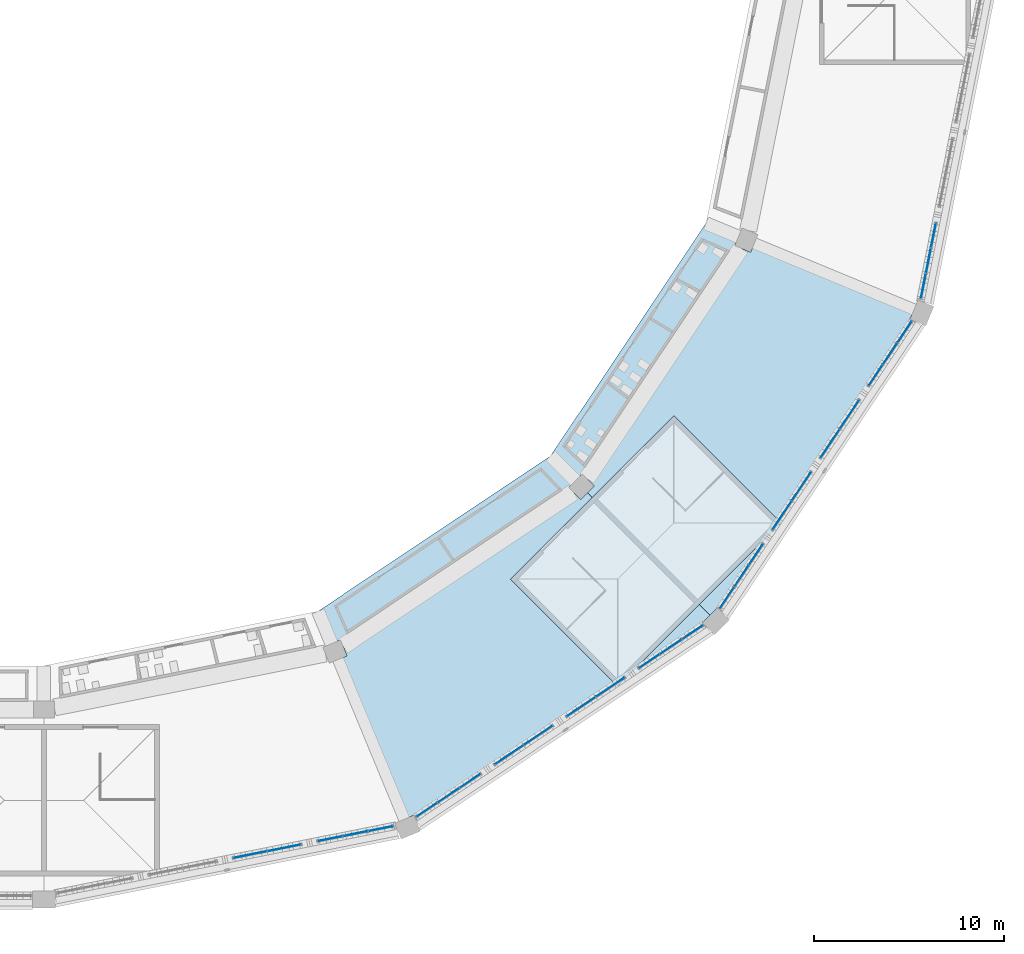
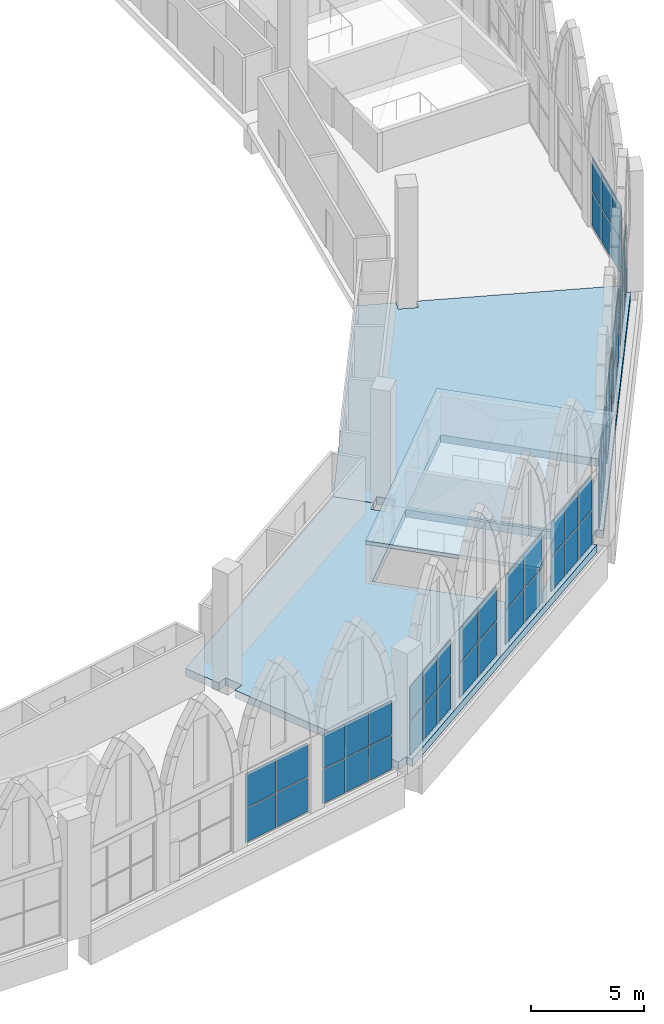
# One storey, part 54 of 130: 56 plates, 3 slabs, 11 elements without a shape of their own.
"""IFC4 building model written with IfcOpenShell, lengths in metres."""

from ifc_helpers import new_model, si_unit, direction, frame, origin, origin_2d, place, context, subcontext, project, spatial, polyline, rectangle, outline, extrude, material, layer, layer_set, type_object, element, aggregate, save


model = new_model("IFC4")

# Units and contexts
model_context = context("Model", 3, precision=1e-05, world=origin(), true_north=direction((0.0, 1.0)))
body_context = subcontext(model_context, "Body", "Model", "MODEL_VIEW")
ifc_project = project(units=[si_unit("LENGTHUNIT", "METRE"), si_unit("AREAUNIT", "SQUARE_METRE"), si_unit("VOLUMEUNIT", "CUBIC_METRE"), si_unit("PLANEANGLEUNIT", "RADIAN"), si_unit("MASSUNIT", "GRAM", prefix="KILO")], contexts=[model_context])

# Site, building, storey
site_placement = place(None, origin())
site = spatial("IfcSite", under=ifc_project, at=site_placement, CompositionType="ELEMENT")
building_placement = place(site_placement, origin())
building = spatial("IfcBuilding", under=site, at=building_placement, Name="Ogive Plaza Stadium", CompositionType="ELEMENT")
storey_placement = place(building_placement, frame((0.0, 0.0, 22.5)))
storey = spatial("IfcBuildingStorey", under=building, at=storey_placement, Name="L05", CompositionType="ELEMENT", Elevation=22.5)

# Slab
ifc_material_1 = material(Name="Concrete C40/50", Category="concrete")
ifc_layer_1 = layer(ifc_material_1, 0.199951171875)
ifc_layer_set_1 = layer_set([ifc_layer_1], Name="Concrete C40/50")
slab_type_1 = type_object("IfcSlabType", Name="Core roof slab", PredefinedType="ROOF", material=ifc_layer_set_1)
slab_1_placement = place(storey_placement, frame((0.0, 0.0, 2.10009765625)))
element("IfcSlab", 1, at=slab_1_placement, inside=storey, type_object=slab_type_1, Name="Stair core R10 roof", PredefinedType="ROOF", context=body_context, shape_type="SweptSolid", body=[
    extrude(outline(polyline([(58.55419921875, -85.645751953125), (64.182861328125, -91.274169921875), (72.774169921875, -82.682861328125), (67.145751953125, -77.05419921875), (58.55419921875, -85.645751953125)])), origin(), (0.0, 0.0, 1.0), 0.199951171875),
])

# Curtain wall, plates
ifc_material_2 = material(Name="Bronze-anodised aluminium with laminated glass", Category="aluminium")
curtain_wall_type = type_object("IfcCurtainWallType", Name="Lancet curtain wall", PredefinedType="NOTDEFINED", material=ifc_material_2)
curtain_wall_1_placement = place(storey_placement, origin())
curtain_wall_1 = element("IfcCurtainWall", 2, at=curtain_wall_1_placement, inside=storey, type_object=curtain_wall_type, Name="CURTAIN WALL B08 L05", PredefinedType="NOTDEFINED")
ifc_material_3 = material(Name="Laminated glass", Category="glass")
ifc_layer_2 = layer(ifc_material_3, 0.028076171875)
ifc_layer_set_2 = layer_set([ifc_layer_2], Name="Laminated glass panel 28")
plate_type = type_object("IfcPlateType", Name="Laminated glass panel 28", PredefinedType="CURTAIN_PANEL", material=ifc_layer_set_2)
plate_1_placement = place(storey_placement, frame((80.802001953125, -67.552490234375, 0.0498046875), z_axis=(0.0, 0.0, 1.0), x_axis=(-0.195090322016, -0.980785280403, 0.0)))
plate_1 = element("IfcPlate", 3, at=plate_1_placement, type_object=plate_type, Name="CW-B08-L05.4 panel 1.1", PredefinedType="CURTAIN_PANEL", context=body_context, shape_type="SweptSolid", body=[
    extrude(rectangle(XDim=1.30224609375, YDim=0.028076171875, at=origin_2d()), origin(), (0.0, 0.0, 1.0), 1.824951171875),
])
plate_2_placement = place(storey_placement, frame((80.802001953125, -67.552490234375, 1.9248046875), z_axis=(0.0, 0.0, 1.0), x_axis=(-0.195090322016, -0.980785280403, 0.0)))
plate_2 = element("IfcPlate", 4, at=plate_2_placement, type_object=plate_type, Name="CW-B08-L05.4 panel 1.2", PredefinedType="CURTAIN_PANEL", context=body_context, shape_type="SweptSolid", body=[
    extrude(rectangle(XDim=1.30224609375, YDim=0.028076171875, at=origin_2d()), origin(), (0.0, 0.0, 1.0), 1.824951171875),
])
plate_3_placement = place(storey_placement, frame((80.53564453125, -68.89111328125, 0.0498046875), z_axis=(0.0, 0.0, 1.0), x_axis=(-0.195090322016, -0.980785280403, 0.0)))
plate_3 = element("IfcPlate", 5, at=plate_3_placement, type_object=plate_type, Name="CW-B08-L05.4 panel 2.1", PredefinedType="CURTAIN_PANEL", context=body_context, shape_type="SweptSolid", body=[
    extrude(rectangle(XDim=1.3271484375, YDim=0.028076171875, at=origin_2d()), origin(), (0.0, 0.0, 1.0), 1.824951171875),
])
plate_4_placement = place(storey_placement, frame((80.53564453125, -68.89111328125, 1.9248046875), z_axis=(0.0, 0.0, 1.0), x_axis=(-0.195090322016, -0.980785280403, 0.0)))
plate_4 = element("IfcPlate", 6, at=plate_4_placement, type_object=plate_type, Name="CW-B08-L05.4 panel 2.2", PredefinedType="CURTAIN_PANEL", context=body_context, shape_type="SweptSolid", body=[
    extrude(rectangle(XDim=1.3271484375, YDim=0.028076171875, at=origin_2d()), origin(), (0.0, 0.0, 1.0), 1.824951171875),
])
plate_5_placement = place(storey_placement, frame((80.26953125, -70.2294921875, 0.0498046875), z_axis=(0.0, 0.0, 1.0), x_axis=(-0.195090322016, -0.980785280403, 0.0)))
plate_5 = element("IfcPlate", 7, at=plate_5_placement, type_object=plate_type, Name="CW-B08-L05.4 panel 3.1", PredefinedType="CURTAIN_PANEL", context=body_context, shape_type="SweptSolid", body=[
    extrude(rectangle(XDim=1.30224609375, YDim=0.028076171875, at=origin_2d()), origin(), (0.0, 0.0, 1.0), 1.824951171875),
])
plate_6_placement = place(storey_placement, frame((80.26953125, -70.2294921875, 1.9248046875), z_axis=(0.0, 0.0, 1.0), x_axis=(-0.195090322016, -0.980785280403, 0.0)))
plate_6 = element("IfcPlate", 8, at=plate_6_placement, type_object=plate_type, Name="CW-B08-L05.4 panel 3.2", PredefinedType="CURTAIN_PANEL", context=body_context, shape_type="SweptSolid", body=[
    extrude(rectangle(XDim=1.30224609375, YDim=0.028076171875, at=origin_2d()), origin(), (0.0, 0.0, 1.0), 1.824951171875),
])
aggregate(curtain_wall_1, [plate_1, plate_2, plate_3, plate_4, plate_5, plate_6])

curtain_wall_2_placement = place(storey_placement, origin())
curtain_wall_2 = element("IfcCurtainWall", 9, at=curtain_wall_2_placement, inside=storey, type_object=curtain_wall_type, Name="CURTAIN WALL B09 L05", PredefinedType="NOTDEFINED")
plate_7_placement = place(storey_placement, frame((79.280029296875, -72.641845703125, 0.0498046875), z_axis=(0.0, 0.0, 1.0), x_axis=(-0.555570232889, -0.83146961239, 0.0)))
plate_7 = element("IfcPlate", 10, at=plate_7_placement, type_object=plate_type, Name="CW-B09-L05.1 panel 1.1", PredefinedType="CURTAIN_PANEL", context=body_context, shape_type="SweptSolid", body=[
    extrude(rectangle(XDim=1.310791015625, YDim=0.028076171875, at=origin_2d()), origin(), (0.0, 0.0, 1.0), 1.824951171875),
])
plate_8_placement = place(storey_placement, frame((79.280029296875, -72.641845703125, 1.9248046875), z_axis=(0.0, 0.0, 1.0), x_axis=(-0.555570232889, -0.83146961239, 0.0)))
plate_8 = element("IfcPlate", 11, at=plate_8_placement, type_object=plate_type, Name="CW-B09-L05.1 panel 1.2", PredefinedType="CURTAIN_PANEL", context=body_context, shape_type="SweptSolid", body=[
    extrude(rectangle(XDim=1.310791015625, YDim=0.028076171875, at=origin_2d()), origin(), (0.0, 0.0, 1.0), 1.824951171875),
])
plate_9_placement = place(storey_placement, frame((78.51708984375, -73.78369140625, 0.0498046875), z_axis=(0.0, 0.0, 1.0), x_axis=(-0.555570232889, -0.83146961239, 0.0)))
plate_9 = element("IfcPlate", 12, at=plate_9_placement, type_object=plate_type, Name="CW-B09-L05.1 panel 2.1", PredefinedType="CURTAIN_PANEL", context=body_context, shape_type="SweptSolid", body=[
    extrude(rectangle(XDim=1.335693359375, YDim=0.028076171875, at=origin_2d()), origin(), (0.0, 0.0, 1.0), 1.824951171875),
])
plate_10_placement = place(storey_placement, frame((78.51708984375, -73.78369140625, 1.9248046875), z_axis=(0.0, 0.0, 1.0), x_axis=(-0.555570232889, -0.83146961239, 0.0)))
plate_10 = element("IfcPlate", 13, at=plate_10_placement, type_object=plate_type, Name="CW-B09-L05.1 panel 2.2", PredefinedType="CURTAIN_PANEL", context=body_context, shape_type="SweptSolid", body=[
    extrude(rectangle(XDim=1.335693359375, YDim=0.028076171875, at=origin_2d()), origin(), (0.0, 0.0, 1.0), 1.824951171875),
])
plate_11_placement = place(storey_placement, frame((77.754150390625, -74.925537109375, 0.0498046875), z_axis=(0.0, 0.0, 1.0), x_axis=(-0.555570232889, -0.83146961239, 0.0)))
plate_11 = element("IfcPlate", 14, at=plate_11_placement, type_object=plate_type, Name="CW-B09-L05.1 panel 3.1", PredefinedType="CURTAIN_PANEL", context=body_context, shape_type="SweptSolid", body=[
    extrude(rectangle(XDim=1.310791015625, YDim=0.028076171875, at=origin_2d()), origin(), (0.0, 0.0, 1.0), 1.824951171875),
])
plate_12_placement = place(storey_placement, frame((77.754150390625, -74.925537109375, 1.9248046875), z_axis=(0.0, 0.0, 1.0), x_axis=(-0.555570232889, -0.83146961239, 0.0)))
plate_12 = element("IfcPlate", 15, at=plate_12_placement, type_object=plate_type, Name="CW-B09-L05.1 panel 3.2", PredefinedType="CURTAIN_PANEL", context=body_context, shape_type="SweptSolid", body=[
    extrude(rectangle(XDim=1.310791015625, YDim=0.028076171875, at=origin_2d()), origin(), (0.0, 0.0, 1.0), 1.824951171875),
])
aggregate(curtain_wall_2, [plate_7, plate_8, plate_9, plate_10, plate_11, plate_12])

curtain_wall_3_placement = place(storey_placement, origin())
curtain_wall_3 = element("IfcCurtainWall", 16, at=curtain_wall_3_placement, inside=storey, type_object=curtain_wall_type, Name="CURTAIN WALL B09 L05", PredefinedType="NOTDEFINED")
plate_13_placement = place(storey_placement, frame((76.38916015625, -76.968505859375, 0.0498046875), z_axis=(0.0, 0.0, 1.0), x_axis=(-0.555570233237, -0.831469612157, 0.0)))
plate_13 = element("IfcPlate", 17, at=plate_13_placement, type_object=plate_type, Name="CW-B09-L05.2 panel 1.1", PredefinedType="CURTAIN_PANEL", context=body_context, shape_type="SweptSolid", body=[
    extrude(rectangle(XDim=1.803466796875, YDim=0.028076171875, at=origin_2d()), origin(), (0.0, 0.0, 1.0), 1.824951171875),
])
plate_14_placement = place(storey_placement, frame((76.38916015625, -76.968505859375, 1.9248046875), z_axis=(0.0, 0.0, 1.0), x_axis=(-0.555570233237, -0.831469612157, 0.0)))
plate_14 = element("IfcPlate", 18, at=plate_14_placement, type_object=plate_type, Name="CW-B09-L05.2 panel 1.2", PredefinedType="CURTAIN_PANEL", context=body_context, shape_type="SweptSolid", body=[
    extrude(rectangle(XDim=1.803466796875, YDim=0.028076171875, at=origin_2d()), origin(), (0.0, 0.0, 1.0), 1.824951171875),
])
plate_15_placement = place(storey_placement, frame((75.359375, -78.509765625, 0.0498046875), z_axis=(0.0, 0.0, 1.0), x_axis=(-0.555570233237, -0.831469612157, 0.0)))
plate_15 = element("IfcPlate", 19, at=plate_15_placement, type_object=plate_type, Name="CW-B09-L05.2 panel 2.1", PredefinedType="CURTAIN_PANEL", context=body_context, shape_type="SweptSolid", body=[
    extrude(rectangle(XDim=1.803466796875, YDim=0.028076171875, at=origin_2d()), origin(), (0.0, 0.0, 1.0), 1.824951171875),
])
plate_16_placement = place(storey_placement, frame((75.359375, -78.509765625, 1.9248046875), z_axis=(0.0, 0.0, 1.0), x_axis=(-0.555570233237, -0.831469612157, 0.0)))
plate_16 = element("IfcPlate", 20, at=plate_16_placement, type_object=plate_type, Name="CW-B09-L05.2 panel 2.2", PredefinedType="CURTAIN_PANEL", context=body_context, shape_type="SweptSolid", body=[
    extrude(rectangle(XDim=1.803466796875, YDim=0.028076171875, at=origin_2d()), origin(), (0.0, 0.0, 1.0), 1.824951171875),
])
aggregate(curtain_wall_3, [plate_13, plate_14, plate_15, plate_16])

curtain_wall_4_placement = place(storey_placement, origin())
curtain_wall_4 = element("IfcCurtainWall", 21, at=curtain_wall_4_placement, inside=storey, type_object=curtain_wall_type, Name="CURTAIN WALL B09 L05", PredefinedType="NOTDEFINED")
plate_17_placement = place(storey_placement, frame((73.857421875, -80.757568359375, 0.0498046875), z_axis=(0.0, 0.0, 1.0), x_axis=(-0.555570233121, -0.831469612235, 0.0)))
plate_17 = element("IfcPlate", 22, at=plate_17_placement, type_object=plate_type, Name="CW-B09-L05.3 panel 1.1", PredefinedType="CURTAIN_PANEL", context=body_context, shape_type="SweptSolid", body=[
    extrude(rectangle(XDim=1.803466796875, YDim=0.028076171875, at=origin_2d()), origin(), (0.0, 0.0, 1.0), 1.824951171875),
])
plate_18_placement = place(storey_placement, frame((73.857421875, -80.757568359375, 1.9248046875), z_axis=(0.0, 0.0, 1.0), x_axis=(-0.555570233121, -0.831469612235, 0.0)))
plate_18 = element("IfcPlate", 23, at=plate_18_placement, type_object=plate_type, Name="CW-B09-L05.3 panel 1.2", PredefinedType="CURTAIN_PANEL", context=body_context, shape_type="SweptSolid", body=[
    extrude(rectangle(XDim=1.803466796875, YDim=0.028076171875, at=origin_2d()), origin(), (0.0, 0.0, 1.0), 1.824951171875),
])
plate_19_placement = place(storey_placement, frame((72.82763671875, -82.298828125, 0.0498046875), z_axis=(0.0, 0.0, 1.0), x_axis=(-0.555570233121, -0.831469612235, 0.0)))
plate_19 = element("IfcPlate", 24, at=plate_19_placement, type_object=plate_type, Name="CW-B09-L05.3 panel 2.1", PredefinedType="CURTAIN_PANEL", context=body_context, shape_type="SweptSolid", body=[
    extrude(rectangle(XDim=1.803466796875, YDim=0.028076171875, at=origin_2d()), origin(), (0.0, 0.0, 1.0), 1.824951171875),
])
plate_20_placement = place(storey_placement, frame((72.82763671875, -82.298828125, 1.9248046875), z_axis=(0.0, 0.0, 1.0), x_axis=(-0.555570233121, -0.831469612235, 0.0)))
plate_20 = element("IfcPlate", 25, at=plate_20_placement, type_object=plate_type, Name="CW-B09-L05.3 panel 2.2", PredefinedType="CURTAIN_PANEL", context=body_context, shape_type="SweptSolid", body=[
    extrude(rectangle(XDim=1.803466796875, YDim=0.028076171875, at=origin_2d()), origin(), (0.0, 0.0, 1.0), 1.824951171875),
])
aggregate(curtain_wall_4, [plate_17, plate_18, plate_19, plate_20])

curtain_wall_5_placement = place(storey_placement, origin())
curtain_wall_5 = element("IfcCurtainWall", 26, at=curtain_wall_5_placement, inside=storey, type_object=curtain_wall_type, Name="CURTAIN WALL B09 L05", PredefinedType="NOTDEFINED")
plate_21_placement = place(storey_placement, frame((71.46240234375, -84.341796875, 0.0498046875), z_axis=(0.0, 0.0, 1.0), x_axis=(-0.555570233005, -0.831469612312, 0.0)))
plate_21 = element("IfcPlate", 27, at=plate_21_placement, type_object=plate_type, Name="CW-B09-L05.4 panel 1.1", PredefinedType="CURTAIN_PANEL", context=body_context, shape_type="SweptSolid", body=[
    extrude(rectangle(XDim=1.310791015625, YDim=0.028076171875, at=origin_2d()), origin(), (0.0, 0.0, 1.0), 1.824951171875),
])
plate_22_placement = place(storey_placement, frame((71.46240234375, -84.341796875, 1.9248046875), z_axis=(0.0, 0.0, 1.0), x_axis=(-0.555570233005, -0.831469612312, 0.0)))
plate_22 = element("IfcPlate", 28, at=plate_22_placement, type_object=plate_type, Name="CW-B09-L05.4 panel 1.2", PredefinedType="CURTAIN_PANEL", context=body_context, shape_type="SweptSolid", body=[
    extrude(rectangle(XDim=1.310791015625, YDim=0.028076171875, at=origin_2d()), origin(), (0.0, 0.0, 1.0), 1.824951171875),
])
plate_23_placement = place(storey_placement, frame((70.699462890625, -85.483642578125, 0.0498046875), z_axis=(0.0, 0.0, 1.0), x_axis=(-0.555570233005, -0.831469612312, 0.0)))
plate_23 = element("IfcPlate", 29, at=plate_23_placement, type_object=plate_type, Name="CW-B09-L05.4 panel 2.1", PredefinedType="CURTAIN_PANEL", context=body_context, shape_type="SweptSolid", body=[
    extrude(rectangle(XDim=1.335693359375, YDim=0.028076171875, at=origin_2d()), origin(), (0.0, 0.0, 1.0), 1.824951171875),
])
plate_24_placement = place(storey_placement, frame((70.699462890625, -85.483642578125, 1.9248046875), z_axis=(0.0, 0.0, 1.0), x_axis=(-0.555570233005, -0.831469612312, 0.0)))
plate_24 = element("IfcPlate", 30, at=plate_24_placement, type_object=plate_type, Name="CW-B09-L05.4 panel 2.2", PredefinedType="CURTAIN_PANEL", context=body_context, shape_type="SweptSolid", body=[
    extrude(rectangle(XDim=1.335693359375, YDim=0.028076171875, at=origin_2d()), origin(), (0.0, 0.0, 1.0), 1.824951171875),
])
plate_25_placement = place(storey_placement, frame((69.936767578125, -86.625244140625, 0.0498046875), z_axis=(0.0, 0.0, 1.0), x_axis=(-0.555570233005, -0.831469612312, 0.0)))
plate_25 = element("IfcPlate", 31, at=plate_25_placement, type_object=plate_type, Name="CW-B09-L05.4 panel 3.1", PredefinedType="CURTAIN_PANEL", context=body_context, shape_type="SweptSolid", body=[
    extrude(rectangle(XDim=1.310791015625, YDim=0.028076171875, at=origin_2d()), origin(), (0.0, 0.0, 1.0), 1.824951171875),
])
plate_26_placement = place(storey_placement, frame((69.936767578125, -86.625244140625, 1.9248046875), z_axis=(0.0, 0.0, 1.0), x_axis=(-0.555570233005, -0.831469612312, 0.0)))
plate_26 = element("IfcPlate", 32, at=plate_26_placement, type_object=plate_type, Name="CW-B09-L05.4 panel 3.2", PredefinedType="CURTAIN_PANEL", context=body_context, shape_type="SweptSolid", body=[
    extrude(rectangle(XDim=1.310791015625, YDim=0.028076171875, at=origin_2d()), origin(), (0.0, 0.0, 1.0), 1.824951171875),
])
aggregate(curtain_wall_5, [plate_21, plate_22, plate_23, plate_24, plate_25, plate_26])

curtain_wall_6_placement = place(storey_placement, origin())
curtain_wall_6 = element("IfcCurtainWall", 33, at=curtain_wall_6_placement, inside=storey, type_object=curtain_wall_type, Name="CURTAIN WALL B10 L05", PredefinedType="NOTDEFINED")
plate_27_placement = place(storey_placement, frame((68.125244140625, -88.436767578125, 0.0498046875), z_axis=(0.0, 0.0, 1.0), x_axis=(-0.831469612312, -0.555570233005, 0.0)))
plate_27 = element("IfcPlate", 34, at=plate_27_placement, type_object=plate_type, Name="CW-B10-L05.1 panel 1.1", PredefinedType="CURTAIN_PANEL", context=body_context, shape_type="SweptSolid", body=[
    extrude(rectangle(XDim=1.310791015625, YDim=0.028076171875, at=origin_2d()), origin(), (0.0, 0.0, 1.0), 1.824951171875),
])
plate_28_placement = place(storey_placement, frame((68.125244140625, -88.436767578125, 1.9248046875), z_axis=(0.0, 0.0, 1.0), x_axis=(-0.831469612312, -0.555570233005, 0.0)))
plate_28 = element("IfcPlate", 35, at=plate_28_placement, type_object=plate_type, Name="CW-B10-L05.1 panel 1.2", PredefinedType="CURTAIN_PANEL", context=body_context, shape_type="SweptSolid", body=[
    extrude(rectangle(XDim=1.310791015625, YDim=0.028076171875, at=origin_2d()), origin(), (0.0, 0.0, 1.0), 1.824951171875),
])
plate_29_placement = place(storey_placement, frame((66.983642578125, -89.199462890625, 0.0498046875), z_axis=(0.0, 0.0, 1.0), x_axis=(-0.831469612312, -0.555570233005, 0.0)))
plate_29 = element("IfcPlate", 36, at=plate_29_placement, type_object=plate_type, Name="CW-B10-L05.1 panel 2.1", PredefinedType="CURTAIN_PANEL", context=body_context, shape_type="SweptSolid", body=[
    extrude(rectangle(XDim=1.335693359375, YDim=0.028076171875, at=origin_2d()), origin(), (0.0, 0.0, 1.0), 1.824951171875),
])
plate_30_placement = place(storey_placement, frame((66.983642578125, -89.199462890625, 1.9248046875), z_axis=(0.0, 0.0, 1.0), x_axis=(-0.831469612312, -0.555570233005, 0.0)))
plate_30 = element("IfcPlate", 37, at=plate_30_placement, type_object=plate_type, Name="CW-B10-L05.1 panel 2.2", PredefinedType="CURTAIN_PANEL", context=body_context, shape_type="SweptSolid", body=[
    extrude(rectangle(XDim=1.335693359375, YDim=0.028076171875, at=origin_2d()), origin(), (0.0, 0.0, 1.0), 1.824951171875),
])
plate_31_placement = place(storey_placement, frame((65.841796875, -89.96240234375, 0.0498046875), z_axis=(0.0, 0.0, 1.0), x_axis=(-0.831469612312, -0.555570233005, 0.0)))
plate_31 = element("IfcPlate", 38, at=plate_31_placement, type_object=plate_type, Name="CW-B10-L05.1 panel 3.1", PredefinedType="CURTAIN_PANEL", context=body_context, shape_type="SweptSolid", body=[
    extrude(rectangle(XDim=1.310791015625, YDim=0.028076171875, at=origin_2d()), origin(), (0.0, 0.0, 1.0), 1.824951171875),
])
plate_32_placement = place(storey_placement, frame((65.841796875, -89.96240234375, 1.9248046875), z_axis=(0.0, 0.0, 1.0), x_axis=(-0.831469612312, -0.555570233005, 0.0)))
plate_32 = element("IfcPlate", 39, at=plate_32_placement, type_object=plate_type, Name="CW-B10-L05.1 panel 3.2", PredefinedType="CURTAIN_PANEL", context=body_context, shape_type="SweptSolid", body=[
    extrude(rectangle(XDim=1.310791015625, YDim=0.028076171875, at=origin_2d()), origin(), (0.0, 0.0, 1.0), 1.824951171875),
])
aggregate(curtain_wall_6, [plate_27, plate_28, plate_29, plate_30, plate_31, plate_32])

curtain_wall_7_placement = place(storey_placement, origin())
curtain_wall_7 = element("IfcCurtainWall", 40, at=curtain_wall_7_placement, inside=storey, type_object=curtain_wall_type, Name="CURTAIN WALL B10 L05", PredefinedType="NOTDEFINED")
plate_33_placement = place(storey_placement, frame((63.798828125, -91.32763671875, 0.0498046875), z_axis=(0.0, 0.0, 1.0), x_axis=(-0.831469612235, -0.555570233121, 0.0)))
plate_33 = element("IfcPlate", 41, at=plate_33_placement, type_object=plate_type, Name="CW-B10-L05.2 panel 1.1", PredefinedType="CURTAIN_PANEL", context=body_context, shape_type="SweptSolid", body=[
    extrude(rectangle(XDim=1.803466796875, YDim=0.028076171875, at=origin_2d()), origin(), (0.0, 0.0, 1.0), 1.824951171875),
])
plate_34_placement = place(storey_placement, frame((63.798828125, -91.32763671875, 1.9248046875), z_axis=(0.0, 0.0, 1.0), x_axis=(-0.831469612235, -0.555570233121, 0.0)))
plate_34 = element("IfcPlate", 42, at=plate_34_placement, type_object=plate_type, Name="CW-B10-L05.2 panel 1.2", PredefinedType="CURTAIN_PANEL", context=body_context, shape_type="SweptSolid", body=[
    extrude(rectangle(XDim=1.803466796875, YDim=0.028076171875, at=origin_2d()), origin(), (0.0, 0.0, 1.0), 1.824951171875),
])
plate_35_placement = place(storey_placement, frame((62.257568359375, -92.357421875, 0.0498046875), z_axis=(0.0, 0.0, 1.0), x_axis=(-0.831469612235, -0.555570233121, 0.0)))
plate_35 = element("IfcPlate", 43, at=plate_35_placement, type_object=plate_type, Name="CW-B10-L05.2 panel 2.1", PredefinedType="CURTAIN_PANEL", context=body_context, shape_type="SweptSolid", body=[
    extrude(rectangle(XDim=1.803466796875, YDim=0.028076171875, at=origin_2d()), origin(), (0.0, 0.0, 1.0), 1.824951171875),
])
plate_36_placement = place(storey_placement, frame((62.257568359375, -92.357421875, 1.9248046875), z_axis=(0.0, 0.0, 1.0), x_axis=(-0.831469612235, -0.555570233121, 0.0)))
plate_36 = element("IfcPlate", 44, at=plate_36_placement, type_object=plate_type, Name="CW-B10-L05.2 panel 2.2", PredefinedType="CURTAIN_PANEL", context=body_context, shape_type="SweptSolid", body=[
    extrude(rectangle(XDim=1.803466796875, YDim=0.028076171875, at=origin_2d()), origin(), (0.0, 0.0, 1.0), 1.824951171875),
])
aggregate(curtain_wall_7, [plate_33, plate_34, plate_35, plate_36])

curtain_wall_8_placement = place(storey_placement, origin())
curtain_wall_8 = element("IfcCurtainWall", 45, at=curtain_wall_8_placement, inside=storey, type_object=curtain_wall_type, Name="CURTAIN WALL B10 L05", PredefinedType="NOTDEFINED")
plate_37_placement = place(storey_placement, frame((60.009765625, -93.859375, 0.0498046875), z_axis=(0.0, 0.0, 1.0), x_axis=(-0.831469612157, -0.555570233237, 0.0)))
plate_37 = element("IfcPlate", 46, at=plate_37_placement, type_object=plate_type, Name="CW-B10-L05.3 panel 1.1", PredefinedType="CURTAIN_PANEL", context=body_context, shape_type="SweptSolid", body=[
    extrude(rectangle(XDim=1.803466796875, YDim=0.028076171875, at=origin_2d()), origin(), (0.0, 0.0, 1.0), 1.824951171875),
])
plate_38_placement = place(storey_placement, frame((60.009765625, -93.859375, 1.9248046875), z_axis=(0.0, 0.0, 1.0), x_axis=(-0.831469612157, -0.555570233237, 0.0)))
plate_38 = element("IfcPlate", 47, at=plate_38_placement, type_object=plate_type, Name="CW-B10-L05.3 panel 1.2", PredefinedType="CURTAIN_PANEL", context=body_context, shape_type="SweptSolid", body=[
    extrude(rectangle(XDim=1.803466796875, YDim=0.028076171875, at=origin_2d()), origin(), (0.0, 0.0, 1.0), 1.824951171875),
])
plate_39_placement = place(storey_placement, frame((58.468505859375, -94.88916015625, 0.0498046875), z_axis=(0.0, 0.0, 1.0), x_axis=(-0.831469612157, -0.555570233237, 0.0)))
plate_39 = element("IfcPlate", 48, at=plate_39_placement, type_object=plate_type, Name="CW-B10-L05.3 panel 2.1", PredefinedType="CURTAIN_PANEL", context=body_context, shape_type="SweptSolid", body=[
    extrude(rectangle(XDim=1.803466796875, YDim=0.028076171875, at=origin_2d()), origin(), (0.0, 0.0, 1.0), 1.824951171875),
])
plate_40_placement = place(storey_placement, frame((58.468505859375, -94.88916015625, 1.9248046875), z_axis=(0.0, 0.0, 1.0), x_axis=(-0.831469612157, -0.555570233237, 0.0)))
plate_40 = element("IfcPlate", 49, at=plate_40_placement, type_object=plate_type, Name="CW-B10-L05.3 panel 2.2", PredefinedType="CURTAIN_PANEL", context=body_context, shape_type="SweptSolid", body=[
    extrude(rectangle(XDim=1.803466796875, YDim=0.028076171875, at=origin_2d()), origin(), (0.0, 0.0, 1.0), 1.824951171875),
])
aggregate(curtain_wall_8, [plate_37, plate_38, plate_39, plate_40])

curtain_wall_9_placement = place(storey_placement, origin())
curtain_wall_9 = element("IfcCurtainWall", 50, at=curtain_wall_9_placement, inside=storey, type_object=curtain_wall_type, Name="CURTAIN WALL B10 L05", PredefinedType="NOTDEFINED")
plate_41_placement = place(storey_placement, frame((56.425537109375, -96.254150390625, 0.0498046875), z_axis=(0.0, 0.0, 1.0), x_axis=(-0.83146961239, -0.555570232889, 0.0)))
plate_41 = element("IfcPlate", 51, at=plate_41_placement, type_object=plate_type, Name="CW-B10-L05.4 panel 1.1", PredefinedType="CURTAIN_PANEL", context=body_context, shape_type="SweptSolid", body=[
    extrude(rectangle(XDim=1.310791015625, YDim=0.028076171875, at=origin_2d()), origin(), (0.0, 0.0, 1.0), 1.824951171875),
])
plate_42_placement = place(storey_placement, frame((56.425537109375, -96.254150390625, 1.9248046875), z_axis=(0.0, 0.0, 1.0), x_axis=(-0.83146961239, -0.555570232889, 0.0)))
plate_42 = element("IfcPlate", 52, at=plate_42_placement, type_object=plate_type, Name="CW-B10-L05.4 panel 1.2", PredefinedType="CURTAIN_PANEL", context=body_context, shape_type="SweptSolid", body=[
    extrude(rectangle(XDim=1.310791015625, YDim=0.028076171875, at=origin_2d()), origin(), (0.0, 0.0, 1.0), 1.824951171875),
])
plate_43_placement = place(storey_placement, frame((55.28369140625, -97.01708984375, 0.0498046875), z_axis=(0.0, 0.0, 1.0), x_axis=(-0.83146961239, -0.555570232889, 0.0)))
plate_43 = element("IfcPlate", 53, at=plate_43_placement, type_object=plate_type, Name="CW-B10-L05.4 panel 2.1", PredefinedType="CURTAIN_PANEL", context=body_context, shape_type="SweptSolid", body=[
    extrude(rectangle(XDim=1.335693359375, YDim=0.028076171875, at=origin_2d()), origin(), (0.0, 0.0, 1.0), 1.824951171875),
])
plate_44_placement = place(storey_placement, frame((55.28369140625, -97.01708984375, 1.9248046875), z_axis=(0.0, 0.0, 1.0), x_axis=(-0.83146961239, -0.555570232889, 0.0)))
plate_44 = element("IfcPlate", 54, at=plate_44_placement, type_object=plate_type, Name="CW-B10-L05.4 panel 2.2", PredefinedType="CURTAIN_PANEL", context=body_context, shape_type="SweptSolid", body=[
    extrude(rectangle(XDim=1.335693359375, YDim=0.028076171875, at=origin_2d()), origin(), (0.0, 0.0, 1.0), 1.824951171875),
])
plate_45_placement = place(storey_placement, frame((54.141845703125, -97.780029296875, 0.0498046875), z_axis=(0.0, 0.0, 1.0), x_axis=(-0.83146961239, -0.555570232889, 0.0)))
plate_45 = element("IfcPlate", 55, at=plate_45_placement, type_object=plate_type, Name="CW-B10-L05.4 panel 3.1", PredefinedType="CURTAIN_PANEL", context=body_context, shape_type="SweptSolid", body=[
    extrude(rectangle(XDim=1.310791015625, YDim=0.028076171875, at=origin_2d()), origin(), (0.0, 0.0, 1.0), 1.824951171875),
])
plate_46_placement = place(storey_placement, frame((54.141845703125, -97.780029296875, 1.9248046875), z_axis=(0.0, 0.0, 1.0), x_axis=(-0.83146961239, -0.555570232889, 0.0)))
plate_46 = element("IfcPlate", 56, at=plate_46_placement, type_object=plate_type, Name="CW-B10-L05.4 panel 3.2", PredefinedType="CURTAIN_PANEL", context=body_context, shape_type="SweptSolid", body=[
    extrude(rectangle(XDim=1.310791015625, YDim=0.028076171875, at=origin_2d()), origin(), (0.0, 0.0, 1.0), 1.824951171875),
])
aggregate(curtain_wall_9, [plate_41, plate_42, plate_43, plate_44, plate_45, plate_46])

curtain_wall_10_placement = place(storey_placement, origin())
curtain_wall_10 = element("IfcCurtainWall", 57, at=curtain_wall_10_placement, inside=storey, type_object=curtain_wall_type, Name="CURTAIN WALL B11 L05", PredefinedType="NOTDEFINED")
plate_47_placement = place(storey_placement, frame((51.7294921875, -98.76953125, 0.0498046875), z_axis=(0.0, 0.0, 1.0), x_axis=(-0.980785280403, -0.195090322016, 0.0)))
plate_47 = element("IfcPlate", 58, at=plate_47_placement, type_object=plate_type, Name="CW-B11-L05.1 panel 1.1", PredefinedType="CURTAIN_PANEL", context=body_context, shape_type="SweptSolid", body=[
    extrude(rectangle(XDim=1.30224609375, YDim=0.028076171875, at=origin_2d()), origin(), (0.0, 0.0, 1.0), 1.824951171875),
])
plate_48_placement = place(storey_placement, frame((51.7294921875, -98.76953125, 1.9248046875), z_axis=(0.0, 0.0, 1.0), x_axis=(-0.980785280403, -0.195090322016, 0.0)))
plate_48 = element("IfcPlate", 59, at=plate_48_placement, type_object=plate_type, Name="CW-B11-L05.1 panel 1.2", PredefinedType="CURTAIN_PANEL", context=body_context, shape_type="SweptSolid", body=[
    extrude(rectangle(XDim=1.30224609375, YDim=0.028076171875, at=origin_2d()), origin(), (0.0, 0.0, 1.0), 1.824951171875),
])
plate_49_placement = place(storey_placement, frame((50.39111328125, -99.03564453125, 0.0498046875), z_axis=(0.0, 0.0, 1.0), x_axis=(-0.980785280403, -0.195090322016, 0.0)))
plate_49 = element("IfcPlate", 60, at=plate_49_placement, type_object=plate_type, Name="CW-B11-L05.1 panel 2.1", PredefinedType="CURTAIN_PANEL", context=body_context, shape_type="SweptSolid", body=[
    extrude(rectangle(XDim=1.3271484375, YDim=0.028076171875, at=origin_2d()), origin(), (0.0, 0.0, 1.0), 1.824951171875),
])
plate_50_placement = place(storey_placement, frame((50.39111328125, -99.03564453125, 1.9248046875), z_axis=(0.0, 0.0, 1.0), x_axis=(-0.980785280403, -0.195090322016, 0.0)))
plate_50 = element("IfcPlate", 61, at=plate_50_placement, type_object=plate_type, Name="CW-B11-L05.1 panel 2.2", PredefinedType="CURTAIN_PANEL", context=body_context, shape_type="SweptSolid", body=[
    extrude(rectangle(XDim=1.3271484375, YDim=0.028076171875, at=origin_2d()), origin(), (0.0, 0.0, 1.0), 1.824951171875),
])
plate_51_placement = place(storey_placement, frame((49.052490234375, -99.302001953125, 0.0498046875), z_axis=(0.0, 0.0, 1.0), x_axis=(-0.980785280403, -0.195090322016, 0.0)))
plate_51 = element("IfcPlate", 62, at=plate_51_placement, type_object=plate_type, Name="CW-B11-L05.1 panel 3.1", PredefinedType="CURTAIN_PANEL", context=body_context, shape_type="SweptSolid", body=[
    extrude(rectangle(XDim=1.30224609375, YDim=0.028076171875, at=origin_2d()), origin(), (0.0, 0.0, 1.0), 1.824951171875),
])
plate_52_placement = place(storey_placement, frame((49.052490234375, -99.302001953125, 1.9248046875), z_axis=(0.0, 0.0, 1.0), x_axis=(-0.980785280403, -0.195090322016, 0.0)))
plate_52 = element("IfcPlate", 63, at=plate_52_placement, type_object=plate_type, Name="CW-B11-L05.1 panel 3.2", PredefinedType="CURTAIN_PANEL", context=body_context, shape_type="SweptSolid", body=[
    extrude(rectangle(XDim=1.30224609375, YDim=0.028076171875, at=origin_2d()), origin(), (0.0, 0.0, 1.0), 1.824951171875),
])
aggregate(curtain_wall_10, [plate_47, plate_48, plate_49, plate_50, plate_51, plate_52])

curtain_wall_11_placement = place(storey_placement, origin())
curtain_wall_11 = element("IfcCurtainWall", 64, at=curtain_wall_11_placement, inside=storey, type_object=curtain_wall_type, Name="CURTAIN WALL B11 L05", PredefinedType="NOTDEFINED")
plate_53_placement = place(storey_placement, frame((46.653076171875, -99.779296875, 0.0498046875), z_axis=(0.0, 0.0, 1.0), x_axis=(-0.980785280417, -0.195090321948, 0.0)))
plate_53 = element("IfcPlate", 65, at=plate_53_placement, type_object=plate_type, Name="CW-B11-L05.2 panel 1.1", PredefinedType="CURTAIN_PANEL", context=body_context, shape_type="SweptSolid", body=[
    extrude(rectangle(XDim=1.790771484375, YDim=0.028076171875, at=origin_2d()), origin(), (0.0, 0.0, 1.0), 1.824951171875),
])
plate_54_placement = place(storey_placement, frame((46.653076171875, -99.779296875, 1.9248046875), z_axis=(0.0, 0.0, 1.0), x_axis=(-0.980785280417, -0.195090321948, 0.0)))
plate_54 = element("IfcPlate", 66, at=plate_54_placement, type_object=plate_type, Name="CW-B11-L05.2 panel 1.2", PredefinedType="CURTAIN_PANEL", context=body_context, shape_type="SweptSolid", body=[
    extrude(rectangle(XDim=1.790771484375, YDim=0.028076171875, at=origin_2d()), origin(), (0.0, 0.0, 1.0), 1.824951171875),
])
plate_55_placement = place(storey_placement, frame((44.84765625, -100.138427734375, 0.0498046875), z_axis=(0.0, 0.0, 1.0), x_axis=(-0.980785280417, -0.195090321948, 0.0)))
plate_55 = element("IfcPlate", 67, at=plate_55_placement, type_object=plate_type, Name="CW-B11-L05.2 panel 2.1", PredefinedType="CURTAIN_PANEL", context=body_context, shape_type="SweptSolid", body=[
    extrude(rectangle(XDim=1.790771484375, YDim=0.028076171875, at=origin_2d()), origin(), (0.0, 0.0, 1.0), 1.824951171875),
])
plate_56_placement = place(storey_placement, frame((44.84765625, -100.138427734375, 1.9248046875), z_axis=(0.0, 0.0, 1.0), x_axis=(-0.980785280417, -0.195090321948, 0.0)))
plate_56 = element("IfcPlate", 68, at=plate_56_placement, type_object=plate_type, Name="CW-B11-L05.2 panel 2.2", PredefinedType="CURTAIN_PANEL", context=body_context, shape_type="SweptSolid", body=[
    extrude(rectangle(XDim=1.790771484375, YDim=0.028076171875, at=origin_2d()), origin(), (0.0, 0.0, 1.0), 1.824951171875),
])
aggregate(curtain_wall_11, [plate_53, plate_54, plate_55, plate_56])

# Slabs
ifc_material_4 = material(Name="Concrete C40/50", Category="concrete")
ifc_layer_3 = layer(ifc_material_4, 0.409912109375)
ifc_layer_set_3 = layer_set([ifc_layer_3], Name="Concrete C40/50")
slab_type_2 = type_object("IfcSlabType", Name="RC floor slab 410", PredefinedType="FLOOR", material=ifc_layer_set_3)
slab_2_placement = place(storey_placement, frame((0.0, 0.0, -0.409912109375)))
element("IfcSlab", 69, at=slab_2_placement, inside=storey, type_object=slab_type_2, Name="Floor slab L05 B09", PredefinedType="FLOOR", context=body_context, shape_type="SweptSolid", body=[
    extrude(outline(polyline([(61.966064453125, -80.466064453125), (62.319580078125, -80.112548828125), (62.9560546875, -80.7490234375), (62.6025390625, -81.1025390625), (69.037109375, -87.537109375), (69.426025390625, -87.148193359375), (69.6669921875, -87.38916015625), (79.88232421875, -72.100341796875), (79.56787109375, -71.97021484375), (79.7783203125, -71.4619140625), (71.370849609375, -67.9794921875), (71.1796875, -68.44140625), (70.34814453125, -68.09716796875), (70.53955078125, -67.635009765625), (68.830322265625, -66.92724609375), (60.657958984375, -79.157958984375), (61.966064453125, -80.466064453125)]), holes=[polyline([(67.145751953125, -77.40771484375), (63.115234375, -81.438232421875), (68.39013671875, -86.71337890625), (72.420654296875, -82.682861328125), (67.145751953125, -77.40771484375)])]), origin(), (0.0, 0.0, 1.0), 0.409912109375),
])
slab_3_placement = place(storey_placement, frame((0.0, 0.0, -0.409912109375)))
element("IfcSlab", 70, at=slab_3_placement, inside=storey, type_object=slab_type_2, Name="Floor slab L05 B10", PredefinedType="FLOOR", context=body_context, shape_type="SweptSolid", body=[
    extrude(outline(polyline([(49.135009765625, -89.03955078125), (49.59716796875, -88.84814453125), (49.94140625, -89.6796875), (49.4794921875, -89.870849609375), (52.9619140625, -98.2783203125), (53.47021484375, -98.06787109375), (53.600341796875, -98.38232421875), (68.88916015625, -88.1669921875), (68.648193359375, -87.926025390625), (69.037109375, -87.537109375), (62.6025390625, -81.1025390625), (62.2490234375, -81.4560546875), (61.612548828125, -80.819580078125), (61.966064453125, -80.466064453125), (60.657958984375, -79.157958984375), (48.42724609375, -87.330322265625), (49.135009765625, -89.03955078125)]), holes=[polyline([(62.938232421875, -81.615234375), (58.90771484375, -85.645751953125), (64.182861328125, -90.920654296875), (68.21337890625, -86.89013671875), (62.938232421875, -81.615234375)])]), origin(), (0.0, 0.0, 1.0), 0.409912109375),
])

save(model, "model.ifc")
